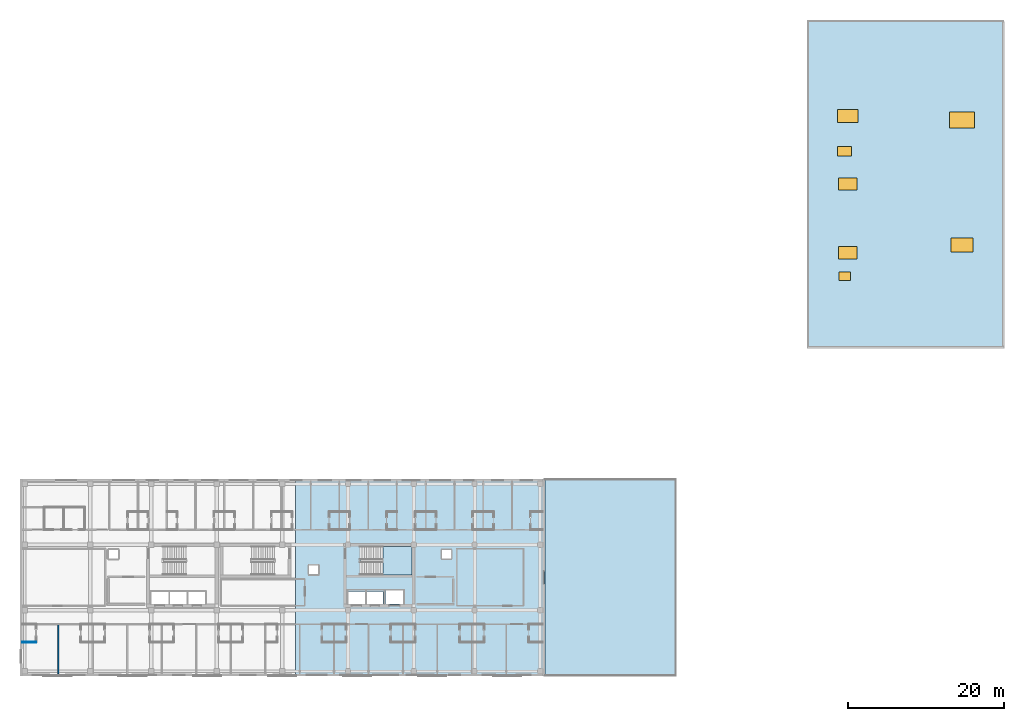
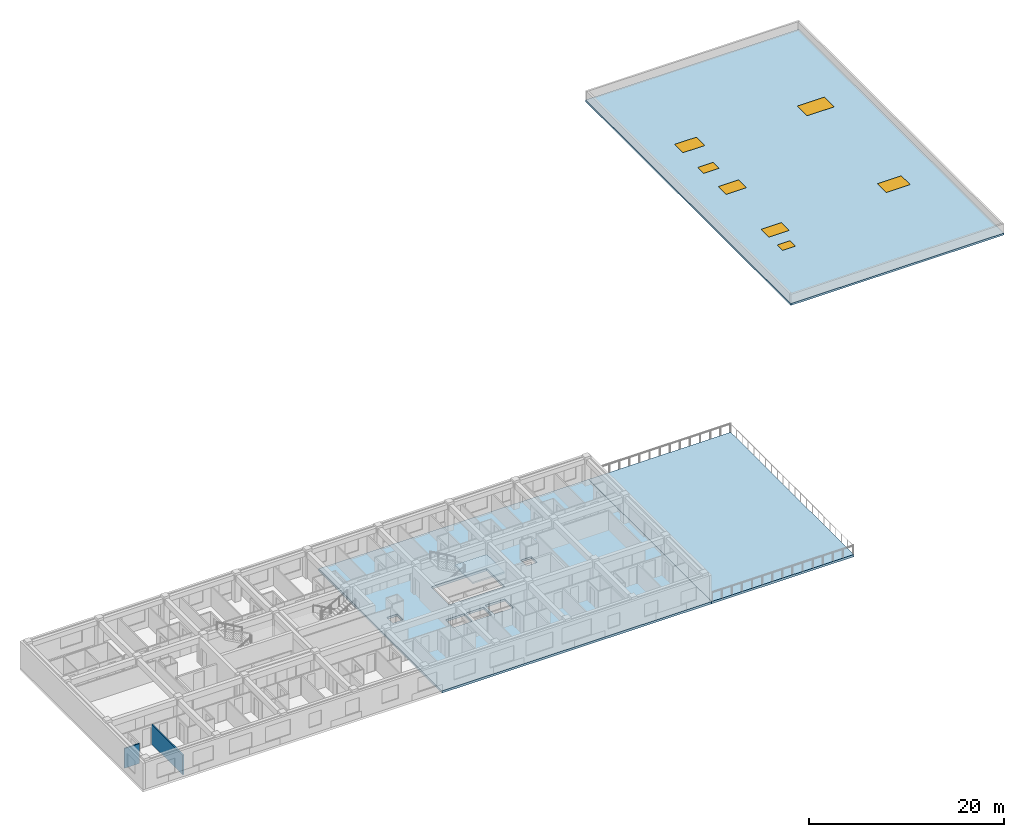
# One storey, part 2 of 13: 5 windows, 4 slabs, 2 doors, 2 walls, 7 openings, 1 element without a shape of its own.
"""IFC4 building model written with IfcOpenShell, lengths in metres."""

import ifcopenshell
import ifcopenshell.guid

model = None  # the IFC model being written
_history = None  # IfcOwnerHistory: only IFC2X3 demands one
_inside = {}  # id of a spatial element -> (the spatial element, [elements in it])
_under = {}  # id of a project, library or spatial element -> (it, [spatial elements below it])
_declared = {}  # id of a project -> (the project, [libraries it declares])
_typed = {}  # id of a type object -> (the type object, [elements of that type])
_made_of = {}  # id of a material, layer set ... -> (it, [elements and type objects made of it])


def new_model(schema):
    """Start an empty IFC model of exactly this schema.

    Asked for "IFC4X3", IfcOpenShell would pick the latest addendum, in which some entities
    have other attributes; the version numbers below select the first issue.
    IFC2X3 requires an IfcOwnerHistory on every rooted entity: one is made here for all.
    """
    global model, _history
    if schema == "IFC4X3":
        model = ifcopenshell.file(schema_version=(4, 3, 0, 0))
    else:
        model = ifcopenshell.file(schema=schema)
    _inside.clear()
    _under.clear()
    _declared.clear()
    _typed.clear()
    _made_of.clear()
    _history = None
    if model.schema == "IFC2X3":
        org = make("IfcOrganization", Name="unknown")
        user = make(
            "IfcPersonAndOrganization",
            ThePerson=make("IfcPerson", FamilyName="unknown"),
            TheOrganization=org,
        )
        app = make(
            "IfcApplication",
            ApplicationDeveloper=org,
            Version="unknown",
            ApplicationFullName="unknown",
            ApplicationIdentifier="unknown",
        )
        _history = make(
            "IfcOwnerHistory",
            OwningUser=user,
            OwningApplication=app,
            ChangeAction="ADDED",
            CreationDate=0,
        )
    return model


def make(cls, **values):
    """One entity of the class cls with the attributes given. An attribute that is None is left unset."""
    return model.create_entity(
        cls, **{name: value for name, value in values.items() if value is not None}
    )


def rooted(cls, **values):
    """An entity with a GlobalId (a new one), such as an element, a storey or a relation."""
    return make(cls, GlobalId=ifcopenshell.guid.new(), OwnerHistory=_history, **values)


def si_unit(unit_type, name, prefix=None):
    """IfcSIUnit, for example si_unit("LENGTHUNIT", "METRE", prefix="MILLI")."""
    return make("IfcSIUnit", UnitType=unit_type, Prefix=prefix, Name=name)


def assignment(units):
    """IfcUnitAssignment: the units of a project."""
    return None if units is None else make("IfcUnitAssignment", Units=units)


def point(xyz):
    """IfcCartesianPoint."""
    return None if xyz is None else make("IfcCartesianPoint", Coordinates=xyz)


def direction(xyz):
    """IfcDirection."""
    return None if xyz is None else make("IfcDirection", DirectionRatios=xyz)


def frame(location, z_axis=None, x_axis=None):
    """IfcAxis2Placement3D, a coordinate frame: its origin and axes. An axis left out is left unset."""
    return make(
        "IfcAxis2Placement3D",
        Location=point(location),
        Axis=direction(z_axis),
        RefDirection=direction(x_axis),
    )


def frame_2d(location, x_axis=None):
    """IfcAxis2Placement2D, a coordinate frame in the plane: its origin and x axis."""
    return make(
        "IfcAxis2Placement2D", Location=point(location), RefDirection=direction(x_axis)
    )


def origin():
    """The frame at (0, 0, 0) with its axes left unset."""
    return frame((0.0, 0.0, 0.0))


def origin_2d():
    """The frame at (0, 0) in the plane with its x axis left unset."""
    return frame_2d((0.0, 0.0))


def place(relative_to, where):
    """IfcLocalPlacement: puts the frame where relative to a parent placement (None: the world)."""
    return make(
        "IfcLocalPlacement", PlacementRelTo=relative_to, RelativePlacement=where
    )


def context(
    kind, dimensions, precision=None, world=None, true_north=None, identifier=None
):
    """IfcGeometricRepresentationContext, for example the 3D "Model" context."""
    return make(
        "IfcGeometricRepresentationContext",
        ContextIdentifier=identifier,
        ContextType=kind,
        CoordinateSpaceDimension=dimensions,
        Precision=precision,
        WorldCoordinateSystem=world,
        TrueNorth=true_north,
    )


def subcontext(parent, identifier, kind, view, scale=None):
    """IfcGeometricRepresentationSubContext, for example "Body" below "Model"."""
    return make(
        "IfcGeometricRepresentationSubContext",
        ContextIdentifier=identifier,
        ContextType=kind,
        ParentContext=parent,
        TargetScale=scale,
        TargetView=view,
    )


def project(units=None, contexts=None):
    """IfcProject with its units and contexts."""
    return rooted(
        "IfcProject",
        Name="project",
        RepresentationContexts=contexts,
        UnitsInContext=assignment(units),
    )


def spatial(cls, under=None, at=None, **own):
    """A site, building, storey or space (cls), placed at a placement, below another one or the project."""
    s = rooted(cls, ObjectPlacement=at, **own)
    if under is not None:
        _under.setdefault(under.id(), (under, []))[1].append(s)
    return s


def polyline(points):
    """IfcPolyline through the points."""
    return make("IfcPolyline", Points=[point(p) for p in points])


def profile(cls, at=None, kind="AREA", **sizes):
    """A parametric profile (cls). Its sizes go by their IFC names, for example OverallWidth=200.0."""
    return make(cls, ProfileType=kind, Position=at, **sizes)


def rectangle(**sizes):
    """IfcRectangleProfileDef."""
    return profile("IfcRectangleProfileDef", **sizes)


def outline(outer, holes=None, kind="AREA"):
    """IfcArbitraryClosedProfileDef: a profile drawn as a closed curve; with holes, ...WithVoids."""
    if holes is None:
        return make("IfcArbitraryClosedProfileDef", ProfileType=kind, OuterCurve=outer)
    return make(
        "IfcArbitraryProfileDefWithVoids",
        ProfileType=kind,
        OuterCurve=outer,
        InnerCurves=holes,
    )


def extrude(swept, where, along, depth):
    """IfcExtrudedAreaSolid: the profile swept, set in the frame where, extruded along a direction by depth."""
    return make(
        "IfcExtrudedAreaSolid",
        SweptArea=swept,
        Position=where,
        ExtrudedDirection=direction(along),
        Depth=depth,
    )


def shape(context_of_items, identifier, shape_type, items):
    """IfcShapeRepresentation: the items that make up one representation, for example the "Body"."""
    return make(
        "IfcShapeRepresentation",
        ContextOfItems=context_of_items,
        RepresentationIdentifier=identifier,
        RepresentationType=shape_type,
        Items=items,
    )


def material(Name=None, Category=None):
    """IfcMaterial."""
    return make("IfcMaterial", Name=Name, Category=Category)


def layer(
    of_material, thickness, ventilated=None, Name=None, Category=None, Priority=None
):
    """IfcMaterialLayer: one layer of a wall or slab, of a material (None: an air gap)."""
    return make(
        "IfcMaterialLayer",
        Material=of_material,
        LayerThickness=thickness,
        IsVentilated=ventilated,
        Name=Name,
        Category=Category,
        Priority=Priority,
    )


def layer_set(layers, Name=None):
    """IfcMaterialLayerSet."""
    return make("IfcMaterialLayerSet", MaterialLayers=layers, LayerSetName=Name)


def made_of(thing, what):
    """Note that an element or type object is made of a material, layer set ...; save() writes the relation."""
    if what is not None:
        _made_of.setdefault(what.id(), (what, []))[1].append(thing)
    return thing


def type_object(cls, material=None, **own):
    """A type object (cls), such as IfcWallType, which elements share."""
    return made_of(rooted(cls, **own), material)


def element(
    cls,
    number,
    at=None,
    inside=None,
    cuts=None,
    type_object=None,
    material=None,
    context=None,
    identifier="Body",
    shape_type=None,
    held_by="IfcProductDefinitionShape",
    body=None,
    shapes=None,
    **own,
):
    """One element of the class cls, such as IfcWall. Its Tag is "e" and its number.

    at: its placement. inside: the storey or other place that contains it. cuts: it is an
    opening in that element (IfcRelVoidsElement). A single representation is given by context,
    identifier, shape_type and body (its items); several are given by shapes. held_by: the class
    of the entity that holds the representations. save() writes the other relations.
    """
    e = rooted(cls, Tag="e%d" % number, ObjectPlacement=at, **own)
    if body is not None:
        shapes = [shape(context, identifier, shape_type, body)]
    if shapes is not None:
        e.Representation = make(held_by, Representations=shapes)
    if inside is not None:
        _inside.setdefault(inside.id(), (inside, []))[1].append(e)
    if cuts is not None:
        rooted(
            "IfcRelVoidsElement", RelatingBuildingElement=cuts, RelatedOpeningElement=e
        )
    if type_object is not None:
        _typed.setdefault(type_object.id(), (type_object, []))[1].append(e)
    return made_of(e, material)


def fill(opening, filler):
    """IfcRelFillsElement: the door or window that sits in an opening."""
    return rooted(
        "IfcRelFillsElement",
        RelatingOpeningElement=opening,
        RelatedBuildingElement=filler,
    )


def aggregate(whole, parts):
    """IfcRelAggregates: a whole, such as a stair, and the parts it consists of."""
    return rooted("IfcRelAggregates", RelatingObject=whole, RelatedObjects=parts)


def save(model, path):
    """Write the relations noted so far, then the file.

    IfcRelAggregates (storeys below a building ...), IfcRelContainedInSpatialStructure (elements
    in a storey), IfcRelDefinesByType, IfcRelAssociatesMaterial and IfcRelDeclares: one each for
    every whole, place, type object, material and project.
    """
    for whole, parts in _under.values():
        aggregate(whole, parts)
    for where, things in _inside.values():
        rooted(
            "IfcRelContainedInSpatialStructure",
            RelatedElements=things,
            RelatingStructure=where,
        )
    for kind, things in _typed.values():
        rooted("IfcRelDefinesByType", RelatedObjects=things, RelatingType=kind)
    for what, things in _made_of.values():
        rooted("IfcRelAssociatesMaterial", RelatedObjects=things, RelatingMaterial=what)
    for by, libraries in _declared.values():
        rooted("IfcRelDeclares", RelatingContext=by, RelatedDefinitions=libraries)
    model.write(path)


model = new_model("IFC4")

# Units and contexts
model_context = context("Model", 3, precision=1e-05, world=origin(), true_north=direction((0.0, 1.0)))
body_context = subcontext(model_context, "Body", "Model", "MODEL_VIEW")
ifc_project = project(units=[si_unit("LENGTHUNIT", "METRE"), si_unit("AREAUNIT", "SQUARE_METRE"), si_unit("VOLUMEUNIT", "CUBIC_METRE"), si_unit("PLANEANGLEUNIT", "RADIAN"), si_unit("MASSUNIT", "GRAM", prefix="KILO")], contexts=[model_context])

# Site, building, storey
site_placement = place(None, origin())
site = spatial("IfcSite", under=ifc_project, at=site_placement, CompositionType="ELEMENT")
building_placement = place(site_placement, origin())
building = spatial("IfcBuilding", under=site, at=building_placement, Name="Zayran Congress Hotel", CompositionType="ELEMENT")
storey_placement = place(building_placement, frame((0.0, 0.0, 22.800048828125)))
storey = spatial("IfcBuildingStorey", under=building, at=storey_placement, Name="L05", CompositionType="ELEMENT", Elevation=22.800048828125)

# Slabs
ifc_material_1 = material(Name="Concrete C32/40", Category="concrete")
ifc_layer_1 = layer(ifc_material_1, 0.280029296875)
ifc_layer_set_1 = layer_set([ifc_layer_1], Name="Concrete C32/40")
slab_type_1 = type_object("IfcSlabType", Name="SL-FL-280", PredefinedType="FLOOR", material=ifc_layer_set_1)
slab_1_placement = place(storey_placement, frame((0.0, 0.0, -0.280029296875)))
element("IfcSlab", 1, at=slab_1_placement, inside=storey, type_object=slab_type_1, Name="SLB-V5-L05-041", PredefinedType="FLOOR", context=body_context, shape_type="SweptSolid", body=[
    extrude(outline(polyline([(43.699951171875, 8.800048828125), (75.60009765625, 8.800048828125), (75.60009765625, 34.0), (43.699951171875, 34.0), (43.699951171875, 8.800048828125)]), holes=[polyline([(52.0400390625, 21.760009765625), (58.60009765625, 21.760009765625), (58.60009765625, 25.39990234375), (52.0400390625, 25.39990234375), (52.0400390625, 21.760009765625)]), polyline([(50.39990234375, 18.0), (52.60009765625, 18.0), (52.60009765625, 19.60009765625), (50.39990234375, 19.60009765625), (50.39990234375, 18.0)]), polyline([(52.800048828125, 18.0), (54.89990234375, 18.0), (54.89990234375, 19.60009765625), (52.800048828125, 19.60009765625), (52.800048828125, 18.0)]), polyline([(55.199951171875, 18.0), (57.5, 18.0), (57.5, 19.800048828125), (55.199951171875, 19.800048828125), (55.199951171875, 18.0)]), polyline([(45.39990234375, 21.800048828125), (46.6201171875, 21.800048828125), (46.6201171875, 22.97998046875), (45.39990234375, 22.97998046875), (45.39990234375, 21.800048828125)]), polyline([(62.39990234375, 23.800048828125), (63.6201171875, 23.800048828125), (63.6201171875, 24.97998046875), (62.39990234375, 24.97998046875), (62.39990234375, 23.800048828125)])]), origin(), (0.0, 0.0, 1.0), 0.280029296875),
])
ifc_layer_2 = layer(ifc_material_1, 0.280029296875)
ifc_layer_set_2 = layer_set([ifc_layer_2], Name="Concrete C32/40")
slab_type_2 = type_object("IfcSlabType", Name="SL-TR-280", PredefinedType="FLOOR", material=ifc_layer_set_2)
slab_2_placement = place(storey_placement, frame((0.0, 0.0, -0.280029296875)))
element("IfcSlab", 2, at=slab_2_placement, inside=storey, type_object=slab_type_2, Name="V5 L05 Planted Roof Terrace Slab 1", PredefinedType="FLOOR", context=body_context, shape_type="SweptSolid", body=[
    extrude(outline(polyline([(75.60009765625, 8.800048828125), (92.39990234375, 8.800048828125), (92.39990234375, 34.0), (75.60009765625, 34.0), (75.60009765625, 8.800048828125)])), origin(), (0.0, 0.0, 1.0), 0.280029296875),
])

# Slab, openings, windows, doors
ifc_layer_3 = layer(ifc_material_1, 0.239990234375)
ifc_layer_set_3 = layer_set([ifc_layer_3], Name="Concrete C32/40")
slab_type_3 = type_object("IfcSlabType", Name="SL-RF-240", PredefinedType="ROOF", material=ifc_layer_set_3)
slab_3_placement = place(storey_placement, frame((0.0, 0.0, -0.239990234375)))
slab_3 = element("IfcSlab", 3, at=slab_3_placement, inside=storey, type_object=slab_type_3, Name="SLB-V4-ROOF", PredefinedType="ROOF", context=body_context, shape_type="SweptSolid", body=[
    extrude(outline(polyline([(109.199951171875, 50.800048828125), (134.39990234375, 50.800048828125), (134.39990234375, 92.800048828125), (109.199951171875, 92.800048828125), (109.199951171875, 50.800048828125)])), origin(), (0.0, 0.0, 1.0), 0.239990234375),
])
opening_1_placement = place(slab_3_placement, frame((114.0, 60.0, -0.010009765625), z_axis=(0.0, 0.0, 1.0), x_axis=(1.0, 0.0, 0.0)))
opening_1 = element("IfcOpeningElement", 4, at=opening_1_placement, cuts=slab_3, Name="Opening DR-HTCH-01", PredefinedType="OPENING", context=body_context, shape_type="SweptSolid", body=[
    extrude(rectangle(XDim=1.5, YDim=1.10009765625, at=origin_2d()), origin(), (0.0, 0.0, 1.0), 0.260009765625),
])
opening_2_placement = place(slab_3_placement, frame((114.0, 76.0, -0.010009765625), z_axis=(0.0, 0.0, 1.0), x_axis=(1.0, 0.0, 0.0)))
opening_2 = element("IfcOpeningElement", 5, at=opening_2_placement, cuts=slab_3, Name="Opening DR-HTCH-02", PredefinedType="OPENING", context=body_context, shape_type="SweptSolid", body=[
    extrude(rectangle(XDim=1.800048828125, YDim=1.199951171875, at=origin_2d()), origin(), (0.0, 0.0, 1.0), 0.260009765625),
])
opening_3_placement = place(slab_3_placement, frame((114.39990234375, 71.800048828125, -0.010009765625), z_axis=(0.0, 0.0, 1.0), x_axis=(1.0, 0.0, 0.0)))
opening_3 = element("IfcOpeningElement", 6, at=opening_3_placement, cuts=slab_3, Name="Opening WIN-SKY-01", PredefinedType="OPENING", context=body_context, shape_type="SweptSolid", body=[
    extrude(rectangle(XDim=2.39990234375, YDim=1.60009765625, at=origin_2d()), origin(), (0.0, 0.0, 1.0), 0.260009765625),
])
opening_4_placement = place(slab_3_placement, frame((129.0, 64.0, -0.010009765625), z_axis=(0.0, 0.0, 1.0), x_axis=(1.0, 0.0, 0.0)))
opening_4 = element("IfcOpeningElement", 7, at=opening_4_placement, cuts=slab_3, Name="Opening WIN-SKY-02", PredefinedType="OPENING", context=body_context, shape_type="SweptSolid", body=[
    extrude(rectangle(XDim=2.800048828125, YDim=1.800048828125, at=origin_2d()), origin(), (0.0, 0.0, 1.0), 0.260009765625),
])
opening_5_placement = place(slab_3_placement, frame((129.0, 80.0, -0.010009765625), z_axis=(0.0, 0.0, 1.0), x_axis=(1.0, 0.0, 0.0)))
opening_5 = element("IfcOpeningElement", 8, at=opening_5_placement, cuts=slab_3, Name="Opening WIN-SKY-03", PredefinedType="OPENING", context=body_context, shape_type="SweptSolid", body=[
    extrude(rectangle(XDim=3.199951171875, YDim=2.0, at=origin_2d()), origin(), (0.0, 0.0, 1.0), 0.260009765625),
])
opening_6_placement = place(slab_3_placement, frame((114.39990234375, 63.0, -0.010009765625), z_axis=(0.0, 0.0, 1.0), x_axis=(1.0, 0.0, 0.0)))
opening_6 = element("IfcOpeningElement", 9, at=opening_6_placement, cuts=slab_3, Name="Opening WIN-SKY-04", PredefinedType="OPENING", context=body_context, shape_type="SweptSolid", body=[
    extrude(rectangle(XDim=2.39990234375, YDim=1.60009765625, at=origin_2d()), origin(), (0.0, 0.0, 1.0), 0.260009765625),
])
opening_7_placement = place(slab_3_placement, frame((114.39990234375, 80.5, -0.010009765625), z_axis=(0.0, 0.0, 1.0), x_axis=(1.0, 0.0, 0.0)))
opening_7 = element("IfcOpeningElement", 10, at=opening_7_placement, cuts=slab_3, Name="Opening WIN-SKY-05", PredefinedType="OPENING", context=body_context, shape_type="SweptSolid", body=[
    extrude(rectangle(XDim=2.60009765625, YDim=1.699951171875, at=origin_2d()), origin(), (0.0, 0.0, 1.0), 0.260009765625),
])
ifc_material_2 = material(Name="Anodised aluminium and low-E insulated glass", Category="aluminium")
window_type_1 = type_object("IfcWindowType", Name="TP-SK-01", PartitioningType="SINGLE_PANEL", PredefinedType="SKYLIGHT", material=ifc_material_2)
window_1_placement = place(opening_3_placement, frame((0.0, 0.0, 0.199951171875)))
window_1 = element("IfcWindow", 11, at=window_1_placement, inside=storey, type_object=window_type_1, Name="Roof Skylight 01", OverallHeight=1.60009765625, OverallWidth=2.39990234375, PartitioningType="SINGLE_PANEL", PredefinedType="SKYLIGHT", context=body_context, shape_type="SweptSolid", body=[
    extrude(rectangle(XDim=2.39990234375, YDim=1.60009765625, at=origin_2d()), origin(), (0.0, 0.0, 1.0), 0.050048828125),
])
fill(opening_3, window_1)
window_2_placement = place(opening_6_placement, frame((0.0, 0.0, 0.199951171875)))
window_2 = element("IfcWindow", 12, at=window_2_placement, inside=storey, type_object=window_type_1, Name="Roof Skylight 04", OverallHeight=1.60009765625, OverallWidth=2.39990234375, PartitioningType="SINGLE_PANEL", PredefinedType="SKYLIGHT", context=body_context, shape_type="SweptSolid", body=[
    extrude(rectangle(XDim=2.39990234375, YDim=1.60009765625, at=origin_2d()), origin(), (0.0, 0.0, 1.0), 0.050048828125),
])
fill(opening_6, window_2)
window_type_2 = type_object("IfcWindowType", Name="TP-SK-02", PartitioningType="SINGLE_PANEL", PredefinedType="SKYLIGHT", material=ifc_material_2)
window_3_placement = place(opening_4_placement, frame((0.0, 0.0, 0.199951171875)))
window_3 = element("IfcWindow", 13, at=window_3_placement, inside=storey, type_object=window_type_2, Name="Roof Skylight 02", OverallHeight=1.800048828125, OverallWidth=2.800048828125, PartitioningType="SINGLE_PANEL", PredefinedType="SKYLIGHT", context=body_context, shape_type="SweptSolid", body=[
    extrude(rectangle(XDim=2.800048828125, YDim=1.800048828125, at=origin_2d()), origin(), (0.0, 0.0, 1.0), 0.050048828125),
])
fill(opening_4, window_3)
window_type_3 = type_object("IfcWindowType", Name="TP-SK-03", PartitioningType="SINGLE_PANEL", PredefinedType="SKYLIGHT", material=ifc_material_2)
window_4_placement = place(opening_5_placement, frame((0.0, 0.0, 0.199951171875)))
window_4 = element("IfcWindow", 14, at=window_4_placement, inside=storey, type_object=window_type_3, Name="Roof Skylight 03", OverallHeight=2.0, OverallWidth=3.199951171875, PartitioningType="SINGLE_PANEL", PredefinedType="SKYLIGHT", context=body_context, shape_type="SweptSolid", body=[
    extrude(rectangle(XDim=3.199951171875, YDim=2.0, at=origin_2d()), origin(), (0.0, 0.0, 1.0), 0.050048828125),
])
fill(opening_5, window_4)
window_type_4 = type_object("IfcWindowType", Name="TP-SK-05", PartitioningType="SINGLE_PANEL", PredefinedType="SKYLIGHT", material=ifc_material_2)
window_5_placement = place(opening_7_placement, frame((0.0, 0.0, 0.199951171875)))
window_5 = element("IfcWindow", 15, at=window_5_placement, inside=storey, type_object=window_type_4, Name="Roof Skylight 05", OverallHeight=1.699951171875, OverallWidth=2.60009765625, PartitioningType="SINGLE_PANEL", PredefinedType="SKYLIGHT", context=body_context, shape_type="SweptSolid", body=[
    extrude(rectangle(XDim=2.60009765625, YDim=1.699951171875, at=origin_2d()), origin(), (0.0, 0.0, 1.0), 0.050048828125),
])
fill(opening_7, window_5)
ifc_material_3 = material(Name="Insulated aluminium roof access hatch", Category="aluminium")
door_type_1 = type_object("IfcDoorType", Name="TP-RH-01", OperationType="SINGLE_SWING_LEFT", PredefinedType="TRAPDOOR", material=ifc_material_3)
door_1_placement = place(opening_1_placement, frame((0.0, 0.0, 0.199951171875)))
door_1 = element("IfcDoor", 16, at=door_1_placement, inside=storey, type_object=door_type_1, Name="Roof Access Hatch 01", OperationType="SINGLE_SWING_LEFT", OverallHeight=1.10009765625, OverallWidth=1.5, PredefinedType="TRAPDOOR", context=body_context, shape_type="SweptSolid", body=[
    extrude(rectangle(XDim=1.5, YDim=1.10009765625, at=origin_2d()), origin(), (0.0, 0.0, 1.0), 0.050048828125),
])
fill(opening_1, door_1)
ifc_material_4 = material(Name="Insulated aluminium smoke vent hatch", Category="aluminium")
door_type_2 = type_object("IfcDoorType", Name="TP-RH-02", OperationType="SINGLE_SWING_LEFT", PredefinedType="TRAPDOOR", material=ifc_material_4)
door_2_placement = place(opening_2_placement, frame((0.0, 0.0, 0.199951171875)))
door_2 = element("IfcDoor", 17, at=door_2_placement, inside=storey, type_object=door_type_2, Name="Roof Access Hatch 02", OperationType="SINGLE_SWING_LEFT", OverallHeight=1.199951171875, OverallWidth=1.800048828125, PredefinedType="TRAPDOOR", context=body_context, shape_type="SweptSolid", body=[
    extrude(rectangle(XDim=1.800048828125, YDim=1.199951171875, at=origin_2d()), origin(), (0.0, 0.0, 1.0), 0.050048828125),
])
fill(opening_2, door_2)

# Stair, slab
stair_type = type_object("IfcStairType", Name="TP-STR-1700-36", PredefinedType="USERDEFINED", material=ifc_material_1)
stair_placement = place(storey_placement, origin())
stair = element("IfcStair", 18, at=stair_placement, inside=storey, type_object=stair_type, Name="L05 ST-02", ObjectType="TWO_RETURN_STAIR", PredefinedType="USERDEFINED")
ifc_layer_4 = layer(ifc_material_1, 0.199951171875)
ifc_layer_set_4 = layer_set([ifc_layer_4], Name="Concrete C32/40")
slab_type_4 = type_object("IfcSlabType", Name="TP-LND-1700", PredefinedType="LANDING", material=ifc_layer_set_4)
slab_4_placement = place(storey_placement, frame((0.0, 0.0, 1.599853515625)))
slab_4 = element("IfcSlab", 19, at=slab_4_placement, type_object=slab_type_4, Name="ST-02 landing 1", PredefinedType="LANDING", context=body_context, shape_type="SweptSolid", body=[
    extrude(outline(polyline([(54.85009765625, 21.760009765625), (58.60009765625, 21.760009765625), (58.60009765625, 25.39990234375), (54.85009765625, 25.39990234375), (54.85009765625, 21.760009765625)])), origin(), (0.0, 0.0, 1.0), 0.2001953125),
])
aggregate(stair, [slab_4])

# Walls
ifc_material_5 = material(Name="Hospitality guestroom acoustic partition", Category="gypsum")
ifc_layer_5 = layer(ifc_material_5, 0.139892578125)
ifc_layer_set_5 = layer_set([ifc_layer_5], Name="Hospitality guestroom acoustic partition")
wall_type_1 = type_object("IfcWallType", Name="WL-PT-140", PredefinedType="PARTITIONING", material=ifc_layer_set_5)
wall_1_placement = place(storey_placement, frame((13.302978515625, 9.080078125, 0.0), z_axis=(0.0, 0.0, 1.0), x_axis=(0.0, 1.0, 0.0)))
element("IfcWall", 20, at=wall_1_placement, inside=storey, type_object=wall_type_1, Name="IW-L05-1986", PredefinedType="PARTITIONING", context=body_context, shape_type="SweptSolid", body=[
    extrude(rectangle(XDim=6.349853515625, YDim=0.139892578125, at=frame_2d((3.1748046875, 0.0))), origin(), (0.0, 0.0, 1.0), 2.47998046875),
])
ifc_material_6 = material(Name="Moisture-resistant bathroom partition", Category="gypsum")
ifc_layer_6 = layer(ifc_material_6, 0.1201171875)
ifc_layer_set_6 = layer_set([ifc_layer_6], Name="Moisture-resistant bathroom partition")
wall_type_2 = type_object("IfcWallType", Name="WL-PT-120", PredefinedType="PARTITIONING", material=ifc_layer_set_6)
wall_2_placement = place(storey_placement, frame((8.679931640625, 13.1298828125, 0.0), z_axis=(0.0, 0.0, 1.0), x_axis=(1.0, 0.0, 0.0)))
element("IfcWall", 21, at=wall_2_placement, inside=storey, type_object=wall_type_2, Name="IW-L05-1189", PredefinedType="PARTITIONING", context=body_context, shape_type="SweptSolid", body=[
    extrude(rectangle(XDim=1.782958984375, YDim=0.1201171875, at=frame_2d((0.8916015625, 0.0))), origin(), (0.0, 0.0, 1.0), 2.47998046875),
])

save(model, "model.ifc")
